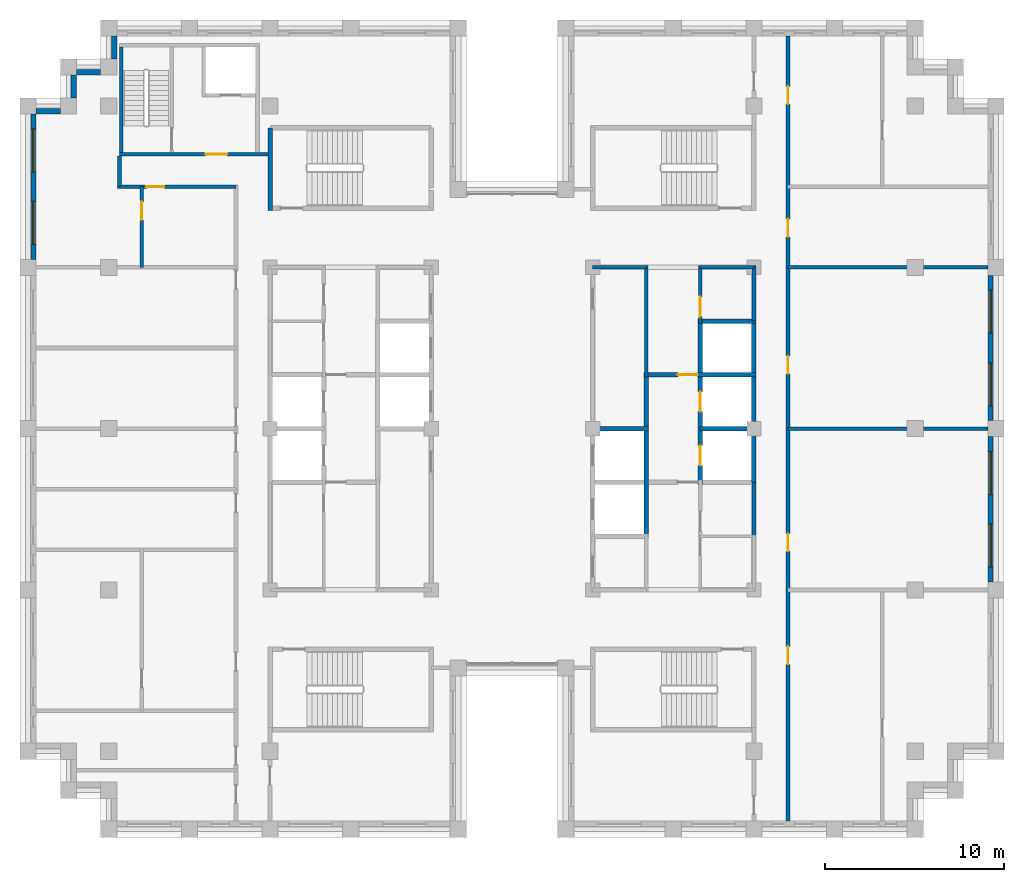
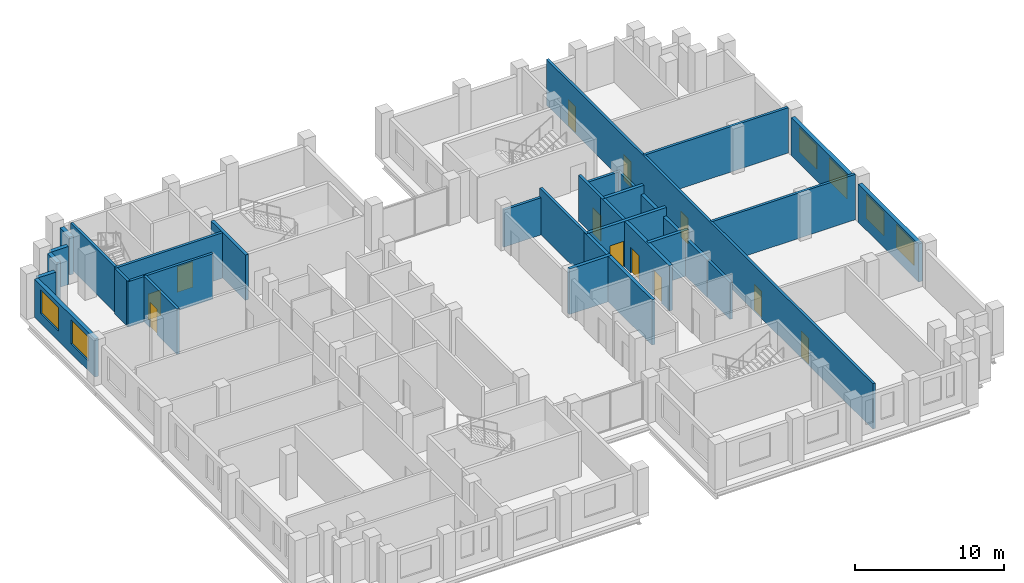
# One storey, part 9 of 13: 29 walls, 12 doors, 6 windows, 18 openings.
"""IFC4 building model written with IfcOpenShell, lengths in metres."""

from ifc_helpers import new_model, si_unit, direction, frame, frame_2d, origin, place, context, subcontext, project, spatial, rectangle, extrude, material, layer, layer_set, type_object, element, fill, save


model = new_model("IFC4")

# Units and contexts
model_context = context("Model", 3, precision=1e-05, world=origin(), true_north=direction((0.0, 1.0)))
body_context = subcontext(model_context, "Body", "Model", "MODEL_VIEW")
ifc_project = project(units=[si_unit("LENGTHUNIT", "METRE"), si_unit("AREAUNIT", "SQUARE_METRE"), si_unit("VOLUMEUNIT", "CUBIC_METRE"), si_unit("PLANEANGLEUNIT", "RADIAN"), si_unit("MASSUNIT", "GRAM", prefix="KILO")], contexts=[model_context])

# Site, building, storey
site_placement = place(None, origin())
site = spatial("IfcSite", under=ifc_project, at=site_placement, CompositionType="ELEMENT")
building_placement = place(site_placement, origin())
building = spatial("IfcBuilding", under=site, at=building_placement, Name="Corbelhall Arena Tower", CompositionType="ELEMENT")
storey_placement = place(building_placement, frame((0.0, 0.0, 282.0)))
storey = spatial("IfcBuildingStorey", under=building, at=storey_placement, Name="L61", CompositionType="ELEMENT", Elevation=282.0)

# Walls
ifc_material_1 = material(Name="Precast concrete C40/50 with granite facing", Category="masonry")
ifc_layer_1 = layer(ifc_material_1, 0.300048828125)
ifc_layer_set_1 = layer_set([ifc_layer_1], Name="EV-IW1 Infill panel 300")
wall_type_1 = type_object("IfcWallType", Name="EV-IW1 Infill panel 300", PredefinedType="SOLIDWALL", material=ifc_layer_set_1)
wall_1_placement = place(storey_placement, frame((-24.449951171875, 19.72509765625, 0.0), z_axis=(0.0, 0.0, 1.0), x_axis=(0.0, -1.0, 0.0)))
element("IfcWall", 1, at=wall_1_placement, inside=storey, type_object=wall_type_1, Name="Infill panel IW1", PredefinedType="SOLIDWALL", context=body_context, shape_type="SweptSolid", body=[
    extrude(rectangle(XDim=1.275146484375, YDim=0.300048828125, at=frame_2d((0.6376953125, 0.0))), origin(), (0.0, 0.0, 1.0), 3.1201171875),
])
wall_2_placement = place(storey_placement, frame((-25.199951171875, 17.699951171875, 0.0), z_axis=(0.0, 0.0, 1.0), x_axis=(-1.0, 0.0, 0.0)))
element("IfcWall", 2, at=wall_2_placement, inside=storey, type_object=wall_type_1, Name="Infill panel IW1", PredefinedType="SOLIDWALL", context=body_context, shape_type="SweptSolid", body=[
    extrude(rectangle(XDim=1.35009765625, YDim=0.300048828125, at=frame_2d((0.675048828125, 0.0))), origin(), (0.0, 0.0, 1.0), 3.1201171875),
])

# Wall, openings, windows
wall_3_placement = place(storey_placement, frame((-26.699951171875, 17.550048828125, 0.0), z_axis=(0.0, 0.0, 1.0), x_axis=(0.0, -1.0, 0.0)))
wall_3 = element("IfcWall", 3, at=wall_3_placement, inside=storey, type_object=wall_type_1, Name="Infill panel IW1", PredefinedType="SOLIDWALL", context=body_context, shape_type="SweptSolid", body=[
    extrude(rectangle(XDim=8.10009765625, YDim=0.300048828125, at=frame_2d((4.050048828125, 0.0))), origin(), (0.0, 0.0, 1.0), 3.1201171875),
])
opening_1_placement = place(wall_3_placement, frame((0.824951171875, 0.0, 0.800048828125)))
opening_1 = element("IfcOpeningElement", 4, at=opening_1_placement, cuts=wall_3, Name="Opening WN1", PredefinedType="OPENING", context=body_context, shape_type="SweptSolid", body=[
    extrude(rectangle(XDim=2.39990234375, YDim=1.949951171875, at=frame_2d((1.199951171875, 0.97509765625))), frame((0.0, 0.14990234375, 0.0), z_axis=(0.0, -1.0, 0.0), x_axis=(1.0, 0.0, 0.0)), (0.0, 0.0, 1.0), 0.300048828125),
])
opening_2_placement = place(wall_3_placement, frame((4.875, 0.0, 0.800048828125)))
opening_2 = element("IfcOpeningElement", 5, at=opening_2_placement, cuts=wall_3, Name="Opening WN1", PredefinedType="OPENING", context=body_context, shape_type="SweptSolid", body=[
    extrude(rectangle(XDim=2.39990234375, YDim=1.949951171875, at=frame_2d((1.199951171875, 0.97509765625))), frame((0.0, 0.14990234375, 0.0), z_axis=(0.0, -1.0, 0.0), x_axis=(1.0, 0.0, 0.0)), (0.0, 0.0, 1.0), 0.300048828125),
])
ifc_material_2 = material(Name="Aluminium black anodised", Category="aluminium")
window_type = type_object("IfcWindowType", Name="EV-WN1 Office window", PartitioningType="SINGLE_PANEL", PredefinedType="WINDOW", material=ifc_material_2)
window_1_placement = place(opening_1_placement, origin())
window_1 = element("IfcWindow", 6, at=window_1_placement, inside=storey, type_object=window_type, Name="Window WN1", OverallHeight=1.949951171875, OverallWidth=2.39990234375, PartitioningType="SINGLE_PANEL", PredefinedType="WINDOW", context=body_context, shape_type="SweptSolid", body=[
    extrude(rectangle(XDim=2.39990234375, YDim=1.949951171875, at=frame_2d((1.199951171875, 0.97509765625))), frame((0.0, 0.030029296875, 0.0), z_axis=(0.0, -1.0, 0.0), x_axis=(1.0, 0.0, 0.0)), (0.0, 0.0, 1.0), 0.06005859375),
])
fill(opening_1, window_1)
window_2_placement = place(opening_2_placement, origin())
window_2 = element("IfcWindow", 7, at=window_2_placement, inside=storey, type_object=window_type, Name="Window WN1", OverallHeight=1.949951171875, OverallWidth=2.39990234375, PartitioningType="SINGLE_PANEL", PredefinedType="WINDOW", context=body_context, shape_type="SweptSolid", body=[
    extrude(rectangle(XDim=2.39990234375, YDim=1.949951171875, at=frame_2d((1.199951171875, 0.97509765625))), frame((0.0, 0.030029296875, 0.0), z_axis=(0.0, -1.0, 0.0), x_axis=(1.0, 0.0, 0.0)), (0.0, 0.0, 1.0), 0.06005859375),
])
fill(opening_2, window_2)

wall_4_placement = place(storey_placement, frame((26.699951171875, -8.550048828125, 0.0), z_axis=(0.0, 0.0, 1.0), x_axis=(0.0, 1.0, 0.0)))
wall_4 = element("IfcWall", 8, at=wall_4_placement, inside=storey, type_object=wall_type_1, Name="Infill panel IW1", PredefinedType="SOLIDWALL", context=body_context, shape_type="SweptSolid", body=[
    extrude(rectangle(XDim=8.10009765625, YDim=0.300048828125, at=frame_2d((4.050048828125, 0.0))), origin(), (0.0, 0.0, 1.0), 3.1201171875),
])
opening_3_placement = place(wall_4_placement, frame((0.824951171875, 0.0, 0.800048828125)))
opening_3 = element("IfcOpeningElement", 9, at=opening_3_placement, cuts=wall_4, Name="Opening WN1", PredefinedType="OPENING", context=body_context, shape_type="SweptSolid", body=[
    extrude(rectangle(XDim=2.39990234375, YDim=1.949951171875, at=frame_2d((1.199951171875, 0.97509765625))), frame((0.0, 0.14990234375, 0.0), z_axis=(0.0, -1.0, 0.0), x_axis=(1.0, 0.0, 0.0)), (0.0, 0.0, 1.0), 0.300048828125),
])
opening_4_placement = place(wall_4_placement, frame((4.875, 0.0, 0.800048828125)))
opening_4 = element("IfcOpeningElement", 10, at=opening_4_placement, cuts=wall_4, Name="Opening WN1", PredefinedType="OPENING", context=body_context, shape_type="SweptSolid", body=[
    extrude(rectangle(XDim=2.39990234375, YDim=1.949951171875, at=frame_2d((1.199951171875, 0.97509765625))), frame((0.0, 0.14990234375, 0.0), z_axis=(0.0, -1.0, 0.0), x_axis=(1.0, 0.0, 0.0)), (0.0, 0.0, 1.0), 0.300048828125),
])
window_3_placement = place(opening_3_placement, origin())
window_3 = element("IfcWindow", 11, at=window_3_placement, inside=storey, type_object=window_type, Name="Window WN1", OverallHeight=1.949951171875, OverallWidth=2.39990234375, PartitioningType="SINGLE_PANEL", PredefinedType="WINDOW", context=body_context, shape_type="SweptSolid", body=[
    extrude(rectangle(XDim=2.39990234375, YDim=1.949951171875, at=frame_2d((1.199951171875, 0.97509765625))), frame((0.0, 0.030029296875, 0.0), z_axis=(0.0, -1.0, 0.0), x_axis=(1.0, 0.0, 0.0)), (0.0, 0.0, 1.0), 0.06005859375),
])
fill(opening_3, window_3)
window_4_placement = place(opening_4_placement, origin())
window_4 = element("IfcWindow", 12, at=window_4_placement, inside=storey, type_object=window_type, Name="Window WN1", OverallHeight=1.949951171875, OverallWidth=2.39990234375, PartitioningType="SINGLE_PANEL", PredefinedType="WINDOW", context=body_context, shape_type="SweptSolid", body=[
    extrude(rectangle(XDim=2.39990234375, YDim=1.949951171875, at=frame_2d((1.199951171875, 0.97509765625))), frame((0.0, 0.030029296875, 0.0), z_axis=(0.0, -1.0, 0.0), x_axis=(1.0, 0.0, 0.0)), (0.0, 0.0, 1.0), 0.06005859375),
])
fill(opening_4, window_4)

wall_5_placement = place(storey_placement, frame((26.699951171875, 0.449951171875, 0.0), z_axis=(0.0, 0.0, 1.0), x_axis=(0.0, 1.0, 0.0)))
wall_5 = element("IfcWall", 13, at=wall_5_placement, inside=storey, type_object=wall_type_1, Name="Infill panel IW1", PredefinedType="SOLIDWALL", context=body_context, shape_type="SweptSolid", body=[
    extrude(rectangle(XDim=8.10009765625, YDim=0.300048828125, at=frame_2d((4.050048828125, 0.0))), origin(), (0.0, 0.0, 1.0), 3.1201171875),
])
opening_5_placement = place(wall_5_placement, frame((0.824951171875, 0.0, 0.800048828125)))
opening_5 = element("IfcOpeningElement", 14, at=opening_5_placement, cuts=wall_5, Name="Opening WN1", PredefinedType="OPENING", context=body_context, shape_type="SweptSolid", body=[
    extrude(rectangle(XDim=2.39990234375, YDim=1.949951171875, at=frame_2d((1.199951171875, 0.97509765625))), frame((0.0, 0.14990234375, 0.0), z_axis=(0.0, -1.0, 0.0), x_axis=(1.0, 0.0, 0.0)), (0.0, 0.0, 1.0), 0.300048828125),
])
opening_6_placement = place(wall_5_placement, frame((4.875, 0.0, 0.800048828125)))
opening_6 = element("IfcOpeningElement", 15, at=opening_6_placement, cuts=wall_5, Name="Opening WN1", PredefinedType="OPENING", context=body_context, shape_type="SweptSolid", body=[
    extrude(rectangle(XDim=2.39990234375, YDim=1.949951171875, at=frame_2d((1.199951171875, 0.97509765625))), frame((0.0, 0.14990234375, 0.0), z_axis=(0.0, -1.0, 0.0), x_axis=(1.0, 0.0, 0.0)), (0.0, 0.0, 1.0), 0.300048828125),
])
window_5_placement = place(opening_5_placement, origin())
window_5 = element("IfcWindow", 16, at=window_5_placement, inside=storey, type_object=window_type, Name="Window WN1", OverallHeight=1.949951171875, OverallWidth=2.39990234375, PartitioningType="SINGLE_PANEL", PredefinedType="WINDOW", context=body_context, shape_type="SweptSolid", body=[
    extrude(rectangle(XDim=2.39990234375, YDim=1.949951171875, at=frame_2d((1.199951171875, 0.97509765625))), frame((0.0, 0.030029296875, 0.0), z_axis=(0.0, -1.0, 0.0), x_axis=(1.0, 0.0, 0.0)), (0.0, 0.0, 1.0), 0.06005859375),
])
fill(opening_5, window_5)
window_6_placement = place(opening_6_placement, origin())
window_6 = element("IfcWindow", 17, at=window_6_placement, inside=storey, type_object=window_type, Name="Window WN1", OverallHeight=1.949951171875, OverallWidth=2.39990234375, PartitioningType="SINGLE_PANEL", PredefinedType="WINDOW", context=body_context, shape_type="SweptSolid", body=[
    extrude(rectangle(XDim=2.39990234375, YDim=1.949951171875, at=frame_2d((1.199951171875, 0.97509765625))), frame((0.0, 0.030029296875, 0.0), z_axis=(0.0, -1.0, 0.0), x_axis=(1.0, 0.0, 0.0)), (0.0, 0.0, 1.0), 0.06005859375),
])
fill(opening_6, window_6)

# Walls
wall_6_placement = place(storey_placement, frame((-22.199951171875, 21.89990234375, 0.0), z_axis=(0.0, 0.0, 1.0), x_axis=(0.0, -1.0, 0.0)))
element("IfcWall", 18, at=wall_6_placement, inside=storey, type_object=wall_type_1, Name="Infill panel IW1", PredefinedType="SOLIDWALL", context=body_context, shape_type="SweptSolid", body=[
    extrude(rectangle(XDim=1.27490234375, YDim=0.300048828125, at=frame_2d((0.637451171875, 0.0))), origin(), (0.0, 0.0, 1.0), 3.1201171875),
])
wall_7_placement = place(storey_placement, frame((-22.949951171875, 19.875, 0.0), z_axis=(0.0, 0.0, 1.0), x_axis=(-1.0, 0.0, 0.0)))
element("IfcWall", 19, at=wall_7_placement, inside=storey, type_object=wall_type_1, Name="Infill panel IW1", PredefinedType="SOLIDWALL", context=body_context, shape_type="SweptSolid", body=[
    extrude(rectangle(XDim=1.35009765625, YDim=0.300048828125, at=frame_2d((0.675048828125, 0.0))), origin(), (0.0, 0.0, 1.0), 3.1201171875),
])
ifc_material_3 = material(Name="Gypsum board on steel stud, acoustic", Category="steel")
ifc_layer_2 = layer(ifc_material_3, 0.199951171875)
ifc_layer_set_2 = layer_set([ifc_layer_2], Name="IN-W-DM200")
wall_type_2 = type_object("IfcWallType", Name="IN-W-DM200", PredefinedType="PARTITIONING", material=ifc_layer_set_2)
wall_8_placement = place(storey_placement, frame((-21.89990234375, 13.5, 0.0), z_axis=(0.0, 0.0, 1.0), x_axis=(0.0, 1.0, 0.0)))
element("IfcWall", 20, at=wall_8_placement, inside=storey, type_object=wall_type_2, Name="Partition 007", PredefinedType="PARTITIONING", context=body_context, shape_type="SweptSolid", body=[
    extrude(rectangle(XDim=1.699951171875, YDim=0.199951171875, at=frame_2d((0.85009765625, 0.0))), origin(), (0.0, 0.0, 1.0), 3.719970703125),
])

# Wall, opening, door
wall_9_placement = place(storey_placement, frame((-20.64990234375, 9.0, 0.0), z_axis=(0.0, 0.0, 1.0), x_axis=(0.0, 1.0, 0.0)))
wall_9 = element("IfcWall", 21, at=wall_9_placement, inside=storey, type_object=wall_type_2, Name="Partition 009", PredefinedType="PARTITIONING", context=body_context, shape_type="SweptSolid", body=[
    extrude(rectangle(XDim=4.5, YDim=0.199951171875, at=frame_2d((2.25, 0.0))), origin(), (0.0, 0.0, 1.0), 3.719970703125),
])
opening_7_placement = place(wall_9_placement, frame((2.64990234375, 0.0, 0.0)))
opening_7 = element("IfcOpeningElement", 22, at=opening_7_placement, cuts=wall_9, Name="Opening 19025", PredefinedType="OPENING", context=body_context, shape_type="SweptSolid", body=[
    extrude(rectangle(XDim=1.0, YDim=2.10009765625, at=frame_2d((0.5, 1.050048828125))), frame((0.0, 0.10009765625, 0.0), z_axis=(0.0, -1.0, 0.0), x_axis=(1.0, 0.0, 0.0)), (0.0, 0.0, 1.0), 0.199951171875),
])
ifc_material_4 = material(Name="Steel door set", Category="steel")
door_type_1 = type_object("IfcDoorType", Name="IN-D-SW100", OperationType="NOTDEFINED", PredefinedType="DOOR", material=ifc_material_4)
door_1_placement = place(opening_7_placement, origin())
door_1 = element("IfcDoor", 23, at=door_1_placement, inside=storey, type_object=door_type_1, Name="Door 025", OperationType="SINGLE_SWING_RIGHT", OverallHeight=2.10009765625, OverallWidth=1.0, PredefinedType="DOOR", context=body_context, shape_type="SweptSolid", body=[
    extrude(rectangle(XDim=1.0, YDim=2.10009765625, at=frame_2d((0.5, 1.050048828125))), frame((0.0, 0.02490234375, 0.0), z_axis=(0.0, -1.0, 0.0), x_axis=(1.0, 0.0, 0.0)), (0.0, 0.0, 1.0), 0.050048828125),
])
fill(opening_7, door_1)

wall_10_placement = place(storey_placement, frame((-15.39990234375, 13.5, 0.0), z_axis=(0.0, 0.0, 1.0), x_axis=(-1.0, 0.0, 0.0)))
wall_10 = element("IfcWall", 24, at=wall_10_placement, inside=storey, type_object=wall_type_2, Name="Partition 010", PredefinedType="PARTITIONING", context=body_context, shape_type="SweptSolid", body=[
    extrude(rectangle(XDim=6.60009765625, YDim=0.199951171875, at=frame_2d((3.300048828125, 0.0))), origin(), (0.0, 0.0, 1.0), 3.719970703125),
])
opening_8_placement = place(wall_10_placement, frame((4.0, 0.0, 0.0)))
opening_8 = element("IfcOpeningElement", 25, at=opening_8_placement, cuts=wall_10, Name="Opening 19024", PredefinedType="OPENING", context=body_context, shape_type="SweptSolid", body=[
    extrude(rectangle(XDim=1.0, YDim=2.10009765625, at=frame_2d((0.5, 1.050048828125))), frame((0.0, 0.10009765625, 0.0), z_axis=(0.0, -1.0, 0.0), x_axis=(1.0, 0.0, 0.0)), (0.0, 0.0, 1.0), 0.199951171875),
])
door_2_placement = place(opening_8_placement, origin())
door_2 = element("IfcDoor", 26, at=door_2_placement, inside=storey, type_object=door_type_1, Name="Door 024", OperationType="SINGLE_SWING_LEFT", OverallHeight=2.10009765625, OverallWidth=1.0, PredefinedType="DOOR", context=body_context, shape_type="SweptSolid", body=[
    extrude(rectangle(XDim=1.0, YDim=2.10009765625, at=frame_2d((0.5, 1.050048828125))), frame((0.0, 0.02490234375, 0.0), z_axis=(0.0, -1.0, 0.0), x_axis=(1.0, 0.0, 0.0)), (0.0, 0.0, 1.0), 0.050048828125),
])
fill(opening_8, door_2)

# Wall, openings, doors
wall_11_placement = place(storey_placement, frame((15.39990234375, 21.89990234375, 0.0), z_axis=(0.0, 0.0, 1.0), x_axis=(0.0, -1.0, 0.0)))
wall_11 = element("IfcWall", 27, at=wall_11_placement, inside=storey, type_object=wall_type_2, Name="Partition 020", PredefinedType="PARTITIONING", context=body_context, shape_type="SweptSolid", body=[
    extrude(rectangle(XDim=43.7998046875, YDim=0.199951171875, at=frame_2d((21.89990234375, 0.0))), origin(), (0.0, 0.0, 1.0), 3.719970703125),
])
opening_9_placement = place(wall_11_placement, frame((17.85009765625, 0.0, 0.0)))
opening_9 = element("IfcOpeningElement", 28, at=opening_9_placement, cuts=wall_11, Name="Opening 19032", PredefinedType="OPENING", context=body_context, shape_type="SweptSolid", body=[
    extrude(rectangle(XDim=1.0, YDim=2.10009765625, at=frame_2d((0.5, 1.050048828125))), frame((0.0, 0.10009765625, 0.0), z_axis=(0.0, -1.0, 0.0), x_axis=(1.0, 0.0, 0.0)), (0.0, 0.0, 1.0), 0.199951171875),
])
opening_10_placement = place(wall_11_placement, frame((10.199951171875, 0.0, 0.0)))
opening_10 = element("IfcOpeningElement", 29, at=opening_10_placement, cuts=wall_11, Name="Opening 19033", PredefinedType="OPENING", context=body_context, shape_type="SweptSolid", body=[
    extrude(rectangle(XDim=1.0, YDim=2.10009765625, at=frame_2d((0.5, 1.050048828125))), frame((0.0, 0.10009765625, 0.0), z_axis=(0.0, -1.0, 0.0), x_axis=(1.0, 0.0, 0.0)), (0.0, 0.0, 1.0), 0.199951171875),
])
opening_11_placement = place(wall_11_placement, frame((2.800048828125, 0.0, 0.0)))
opening_11 = element("IfcOpeningElement", 30, at=opening_11_placement, cuts=wall_11, Name="Opening 19034", PredefinedType="OPENING", context=body_context, shape_type="SweptSolid", body=[
    extrude(rectangle(XDim=1.0, YDim=2.10009765625, at=frame_2d((0.5, 1.050048828125))), frame((0.0, 0.10009765625, 0.0), z_axis=(0.0, -1.0, 0.0), x_axis=(1.0, 0.0, 0.0)), (0.0, 0.0, 1.0), 0.199951171875),
])
opening_12_placement = place(wall_11_placement, frame((34.050048828125, 0.0, 0.0)))
opening_12 = element("IfcOpeningElement", 31, at=opening_12_placement, cuts=wall_11, Name="Opening 19036", PredefinedType="OPENING", context=body_context, shape_type="SweptSolid", body=[
    extrude(rectangle(XDim=1.0, YDim=2.10009765625, at=frame_2d((0.5, 1.050048828125))), frame((0.0, 0.10009765625, 0.0), z_axis=(0.0, -1.0, 0.0), x_axis=(1.0, 0.0, 0.0)), (0.0, 0.0, 1.0), 0.199951171875),
])
opening_13_placement = place(wall_11_placement, frame((27.75, 0.0, 0.0)))
opening_13 = element("IfcOpeningElement", 32, at=opening_13_placement, cuts=wall_11, Name="Opening 19038", PredefinedType="OPENING", context=body_context, shape_type="SweptSolid", body=[
    extrude(rectangle(XDim=1.0, YDim=2.10009765625, at=frame_2d((0.5, 1.050048828125))), frame((0.0, 0.10009765625, 0.0), z_axis=(0.0, -1.0, 0.0), x_axis=(1.0, 0.0, 0.0)), (0.0, 0.0, 1.0), 0.199951171875),
])
door_3_placement = place(opening_9_placement, origin())
door_3 = element("IfcDoor", 33, at=door_3_placement, inside=storey, type_object=door_type_1, Name="Door 032", OperationType="SINGLE_SWING_LEFT", OverallHeight=2.10009765625, OverallWidth=1.0, PredefinedType="DOOR", context=body_context, shape_type="SweptSolid", body=[
    extrude(rectangle(XDim=1.0, YDim=2.10009765625, at=frame_2d((0.5, 1.050048828125))), frame((0.0, 0.02490234375, 0.0), z_axis=(0.0, -1.0, 0.0), x_axis=(1.0, 0.0, 0.0)), (0.0, 0.0, 1.0), 0.050048828125),
])
fill(opening_9, door_3)
door_4_placement = place(opening_10_placement, origin())
door_4 = element("IfcDoor", 34, at=door_4_placement, inside=storey, type_object=door_type_1, Name="Door 033", OperationType="SINGLE_SWING_RIGHT", OverallHeight=2.10009765625, OverallWidth=1.0, PredefinedType="DOOR", context=body_context, shape_type="SweptSolid", body=[
    extrude(rectangle(XDim=1.0, YDim=2.10009765625, at=frame_2d((0.5, 1.050048828125))), frame((0.0, 0.02490234375, 0.0), z_axis=(0.0, -1.0, 0.0), x_axis=(1.0, 0.0, 0.0)), (0.0, 0.0, 1.0), 0.050048828125),
])
fill(opening_10, door_4)
door_5_placement = place(opening_11_placement, origin())
door_5 = element("IfcDoor", 35, at=door_5_placement, inside=storey, type_object=door_type_1, Name="Door 034", OperationType="SINGLE_SWING_LEFT", OverallHeight=2.10009765625, OverallWidth=1.0, PredefinedType="DOOR", context=body_context, shape_type="SweptSolid", body=[
    extrude(rectangle(XDim=1.0, YDim=2.10009765625, at=frame_2d((0.5, 1.050048828125))), frame((0.0, 0.02490234375, 0.0), z_axis=(0.0, -1.0, 0.0), x_axis=(1.0, 0.0, 0.0)), (0.0, 0.0, 1.0), 0.050048828125),
])
fill(opening_11, door_5)
door_6_placement = place(opening_12_placement, origin())
door_6 = element("IfcDoor", 36, at=door_6_placement, inside=storey, type_object=door_type_1, Name="Door 036", OperationType="SINGLE_SWING_LEFT", OverallHeight=2.10009765625, OverallWidth=1.0, PredefinedType="DOOR", context=body_context, shape_type="SweptSolid", body=[
    extrude(rectangle(XDim=1.0, YDim=2.10009765625, at=frame_2d((0.5, 1.050048828125))), frame((0.0, 0.02490234375, 0.0), z_axis=(0.0, -1.0, 0.0), x_axis=(1.0, 0.0, 0.0)), (0.0, 0.0, 1.0), 0.050048828125),
])
fill(opening_12, door_6)
door_7_placement = place(opening_13_placement, origin())
door_7 = element("IfcDoor", 37, at=door_7_placement, inside=storey, type_object=door_type_1, Name="Door 038", OperationType="SINGLE_SWING_LEFT", OverallHeight=2.10009765625, OverallWidth=1.0, PredefinedType="DOOR", context=body_context, shape_type="SweptSolid", body=[
    extrude(rectangle(XDim=1.0, YDim=2.10009765625, at=frame_2d((0.5, 1.050048828125))), frame((0.0, 0.02490234375, 0.0), z_axis=(0.0, -1.0, 0.0), x_axis=(1.0, 0.0, 0.0)), (0.0, 0.0, 1.0), 0.050048828125),
])
fill(opening_13, door_7)

# Walls
for number, where, z_axis, x_axis, name in (
    (38, (15.39990234375, 9.0, 0.0), (0.0, 0.0, 1.0), (1.0, 0.0, 0.0), "Partition 021"),
    (39, (26.550048828125, 0.0, 0.0), (0.0, 0.0, 1.0), (-1.0, 0.0, 0.0), "Partition 025"),
):
    element("IfcWall", number, at=place(storey_placement, frame(where, z_axis=z_axis, x_axis=x_axis)), inside=storey, type_object=wall_type_2, Name=name, PredefinedType="PARTITIONING", context=body_context, shape_type="SweptSolid", body=[
        extrude(rectangle(XDim=11.150146484375, YDim=0.199951171875, at=frame_2d((5.5751953125, 0.0))), origin(), (0.0, 0.0, 1.0), 3.719970703125),
    ])

# Wall, opening, door
ifc_material_5 = material(Name="Concrete C40/50", Category="concrete")
ifc_layer_3 = layer(ifc_material_5, 0.199951171875)
ifc_layer_set_3 = layer_set([ifc_layer_3], Name="IN-W-EAR200")
wall_type_3 = type_object("IfcWallType", Name="IN-W-EAR200", PredefinedType="SOLIDWALL", material=ifc_layer_set_3)
wall_12_placement = place(storey_placement, frame((-21.89990234375, 15.300048828125, 0.0), z_axis=(0.0, 0.0, 1.0), x_axis=(1.0, 0.0, 0.0)))
wall_12 = element("IfcWall", 40, at=wall_12_placement, inside=storey, type_object=wall_type_3, Name="Fire service turret wall south", PredefinedType="SOLIDWALL", context=body_context, shape_type="SweptSolid", body=[
    extrude(rectangle(XDim=8.27490234375, YDim=0.199951171875, at=frame_2d((4.137451171875, 0.0))), origin(), (0.0, 0.0, 1.0), 3.719970703125),
])
opening_14_placement = place(wall_12_placement, frame((4.800048828125, 0.0, 0.0)))
opening_14 = element("IfcOpeningElement", 41, at=opening_14_placement, cuts=wall_12, Name="Opening E192", PredefinedType="OPENING", context=body_context, shape_type="SweptSolid", body=[
    extrude(rectangle(XDim=1.199951171875, YDim=2.10009765625, at=frame_2d((0.60009765625, 1.050048828125))), frame((0.0, 0.10009765625, 0.0), z_axis=(0.0, -1.0, 0.0), x_axis=(1.0, 0.0, 0.0)), (0.0, 0.0, 1.0), 0.199951171875),
])
door_type_2 = type_object("IfcDoorType", Name="IN-D-ST120", OperationType="NOTDEFINED", PredefinedType="DOOR", material=ifc_material_4)
door_8_placement = place(opening_14_placement, origin())
door_8 = element("IfcDoor", 42, at=door_8_placement, inside=storey, type_object=door_type_2, Name="Door from fire service lift lobby to circulation", OperationType="SINGLE_SWING_RIGHT", OverallHeight=2.10009765625, OverallWidth=1.199951171875, PredefinedType="DOOR", context=body_context, shape_type="SweptSolid", body=[
    extrude(rectangle(XDim=1.199951171875, YDim=2.10009765625, at=frame_2d((0.60009765625, 1.050048828125))), frame((0.0, 0.02490234375, 0.0), z_axis=(0.0, -1.0, 0.0), x_axis=(1.0, 0.0, 0.0)), (0.0, 0.0, 1.0), 0.050048828125),
])
fill(opening_14, door_8)

# Walls
wall_13_placement = place(storey_placement, frame((-21.800048828125, 15.39990234375, 0.0), z_axis=(0.0, 0.0, 1.0), x_axis=(0.0, 1.0, 0.0)))
element("IfcWall", 43, at=wall_13_placement, inside=storey, type_object=wall_type_3, Name="Fire service turret wall west", PredefinedType="SOLIDWALL", context=body_context, shape_type="SweptSolid", body=[
    extrude(rectangle(XDim=5.900146484375, YDim=0.199951171875, at=frame_2d((2.9501953125, 0.0))), origin(), (0.0, 0.0, 1.0), 3.719970703125),
])
ifc_material_6 = material(Name="Concrete block wall", Category="concrete")
ifc_layer_4 = layer(ifc_material_6, 0.199951171875)
ifc_layer_set_4 = layer_set([ifc_layer_4], Name="IN-W-RS200")
wall_type_4 = type_object("IfcWallType", Name="IN-W-RS200", PredefinedType="SOLIDWALL", material=ifc_layer_set_4)
wall_14_placement = place(storey_placement, frame((7.5, 9.10009765625, 0.0), z_axis=(0.0, 0.0, 1.0), x_axis=(0.0, -1.0, 0.0)))
element("IfcWall", 44, at=wall_14_placement, inside=storey, type_object=wall_type_4, Name="Partition 040", PredefinedType="SOLIDWALL", context=body_context, shape_type="SweptSolid", body=[
    extrude(rectangle(XDim=6.22509765625, YDim=0.199951171875, at=frame_2d((3.112548828125, 0.0))), origin(), (0.0, 0.0, 1.0), 3.719970703125),
])

# Wall, opening, door
wall_15_placement = place(storey_placement, frame((10.5, 9.10009765625, 0.0), z_axis=(0.0, 0.0, 1.0), x_axis=(0.0, -1.0, 0.0)))
wall_15 = element("IfcWall", 45, at=wall_15_placement, inside=storey, type_object=wall_type_4, Name="Partition 043", PredefinedType="SOLIDWALL", context=body_context, shape_type="SweptSolid", body=[
    extrude(rectangle(XDim=3.22509765625, YDim=0.199951171875, at=frame_2d((1.612548828125, 0.0))), origin(), (0.0, 0.0, 1.0), 3.719970703125),
])
opening_15_placement = place(wall_15_placement, frame((1.75, 0.0, 0.0)))
opening_15 = element("IfcOpeningElement", 46, at=opening_15_placement, cuts=wall_15, Name="Opening 19014", PredefinedType="OPENING", context=body_context, shape_type="SweptSolid", body=[
    extrude(rectangle(XDim=1.10009765625, YDim=2.10009765625, at=frame_2d((0.550048828125, 1.050048828125))), frame((0.0, 0.10009765625, 0.0), z_axis=(0.0, -1.0, 0.0), x_axis=(1.0, 0.0, 0.0)), (0.0, 0.0, 1.0), 0.199951171875),
])
door_type_3 = type_object("IfcDoorType", Name="IN-D-FD110", OperationType="NOTDEFINED", PredefinedType="DOOR", material=ifc_material_4)
door_9_placement = place(opening_15_placement, origin())
door_9 = element("IfcDoor", 47, at=door_9_placement, inside=storey, type_object=door_type_3, Name="Door 014", OperationType="SINGLE_SWING_LEFT", OverallHeight=2.10009765625, OverallWidth=1.10009765625, PredefinedType="DOOR", context=body_context, shape_type="SweptSolid", body=[
    extrude(rectangle(XDim=1.10009765625, YDim=2.10009765625, at=frame_2d((0.550048828125, 1.050048828125))), frame((0.0, 0.02490234375, 0.0), z_axis=(0.0, -1.0, 0.0), x_axis=(1.0, 0.0, 0.0)), (0.0, 0.0, 1.0), 0.050048828125),
])
fill(opening_15, door_9)

# Walls
ifc_layer_5 = layer(ifc_material_6, 0.199951171875)
ifc_layer_set_5 = layer_set([ifc_layer_5], Name="IN-W-RS200 under beam 678 mm")
wall_type_5 = type_object("IfcWallType", Name="IN-W-RS200 under beam 678 mm", PredefinedType="SOLIDWALL", material=ifc_layer_set_5)
for number, where, z_axis, x_axis, name in (
    (48, (4.5, 9.0, 0.0), (0.0, 0.0, 1.0), (1.0, 0.0, 0.0), "Partition 037"),
    (49, (10.5, 9.0, 0.0), (0.0, 0.0, 1.0), (1.0, 0.0, 0.0), "Partition 042"),
    (50, (13.5, -3.0, 0.0), (0.0, 0.0, 1.0), (0.0, -1.0, 0.0), "Partition 044"),
):
    element("IfcWall", number, at=place(storey_placement, frame(where, z_axis=z_axis, x_axis=x_axis)), inside=storey, type_object=wall_type_5, Name=name, PredefinedType="SOLIDWALL", context=body_context, shape_type="SweptSolid", body=[
        extrude(rectangle(XDim=3.0, YDim=0.199951171875, at=frame_2d((1.5, 0.0))), origin(), (0.0, 0.0, 1.0), 3.041748046875),
    ])
wall_16_placement = place(storey_placement, frame((13.5, 9.10009765625, 0.0), z_axis=(0.0, 0.0, 1.0), x_axis=(0.0, -1.0, 0.0)))
element("IfcWall", 51, at=wall_16_placement, inside=storey, type_object=wall_type_5, Name="Partition 045", PredefinedType="SOLIDWALL", context=body_context, shape_type="SweptSolid", body=[
    extrude(rectangle(XDim=3.10009765625, YDim=0.199951171875, at=frame_2d((1.550048828125, 0.0))), origin(), (0.0, 0.0, 1.0), 3.041748046875),
])
ifc_layer_6 = layer(ifc_material_5, 0.25)
ifc_layer_set_6 = layer_set([ifc_layer_6], Name="IN-W-SH250")
wall_type_6 = type_object("IfcWallType", Name="IN-W-SH250", PredefinedType="SOLIDWALL", material=ifc_layer_set_6)
wall_17_placement = place(storey_placement, frame((4.375, 0.0, 0.0), z_axis=(0.0, 0.0, 1.0), x_axis=(1.0, 0.0, 0.0)))
element("IfcWall", 52, at=wall_17_placement, inside=storey, type_object=wall_type_6, Name="Shaft wall 057", PredefinedType="SOLIDWALL", context=body_context, shape_type="SweptSolid", body=[
    extrude(rectangle(XDim=3.25, YDim=0.25, at=frame_2d((1.625, 0.0))), origin(), (0.0, 0.0, 1.0), 3.719970703125),
])
wall_18_placement = place(storey_placement, frame((7.5, 3.125, 0.0), z_axis=(0.0, 0.0, 1.0), x_axis=(0.0, -1.0, 0.0)))
element("IfcWall", 53, at=wall_18_placement, inside=storey, type_object=wall_type_6, Name="Shaft wall 059", PredefinedType="SOLIDWALL", context=body_context, shape_type="SweptSolid", body=[
    extrude(rectangle(XDim=9.125, YDim=0.25, at=frame_2d((4.5625, 0.0))), origin(), (0.0, 0.0, 1.0), 3.719970703125),
])

# Wall, opening, door
wall_19_placement = place(storey_placement, frame((7.5, 3.0, 0.0), z_axis=(0.0, 0.0, 1.0), x_axis=(1.0, 0.0, 0.0)))
wall_19 = element("IfcWall", 54, at=wall_19_placement, inside=storey, type_object=wall_type_6, Name="Shaft wall 060", PredefinedType="SOLIDWALL", context=body_context, shape_type="SweptSolid", body=[
    extrude(rectangle(XDim=6.125, YDim=0.25, at=frame_2d((3.0625, 0.0))), origin(), (0.0, 0.0, 1.0), 3.719970703125),
])
opening_16_placement = place(wall_19_placement, frame((1.75, 0.0, 0.0)))
opening_16 = element("IfcOpeningElement", 55, at=opening_16_placement, cuts=wall_19, Name="Opening 19011", PredefinedType="OPENING", context=body_context, shape_type="SweptSolid", body=[
    extrude(rectangle(XDim=1.10009765625, YDim=2.10009765625, at=frame_2d((0.550048828125, 1.050048828125))), frame((0.0, 0.125, 0.0), z_axis=(0.0, -1.0, 0.0), x_axis=(1.0, 0.0, 0.0)), (0.0, 0.0, 1.0), 0.25),
])
door_10_placement = place(opening_16_placement, origin())
door_10 = element("IfcDoor", 56, at=door_10_placement, inside=storey, type_object=door_type_3, Name="Door 011", OperationType="SINGLE_SWING_RIGHT", OverallHeight=2.10009765625, OverallWidth=1.10009765625, PredefinedType="DOOR", context=body_context, shape_type="SweptSolid", body=[
    extrude(rectangle(XDim=1.10009765625, YDim=2.10009765625, at=frame_2d((0.550048828125, 1.050048828125))), frame((0.0, 0.02490234375, 0.0), z_axis=(0.0, -1.0, 0.0), x_axis=(1.0, 0.0, 0.0)), (0.0, 0.0, 1.0), 0.050048828125),
])
fill(opening_16, door_10)

# Wall
wall_20_placement = place(storey_placement, frame((10.5, 0.0, 0.0), z_axis=(0.0, 0.0, 1.0), x_axis=(1.0, 0.0, 0.0)))
element("IfcWall", 57, at=wall_20_placement, inside=storey, type_object=wall_type_6, Name="Shaft wall 061", PredefinedType="SOLIDWALL", context=body_context, shape_type="SweptSolid", body=[
    extrude(rectangle(XDim=3.125, YDim=0.25, at=frame_2d((1.5625, 0.0))), origin(), (0.0, 0.0, 1.0), 3.719970703125),
])

# Wall, openings, doors
wall_21_placement = place(storey_placement, frame((10.5, 6.125, 0.0), z_axis=(0.0, 0.0, 1.0), x_axis=(0.0, -1.0, 0.0)))
wall_21 = element("IfcWall", 58, at=wall_21_placement, inside=storey, type_object=wall_type_6, Name="Shaft wall 062", PredefinedType="SOLIDWALL", context=body_context, shape_type="SweptSolid", body=[
    extrude(rectangle(XDim=9.25, YDim=0.25, at=frame_2d((4.625, 0.0))), origin(), (0.0, 0.0, 1.0), 3.719970703125),
])
opening_17_placement = place(wall_21_placement, frame((7.074951171875, 0.0, 0.0)))
opening_17 = element("IfcOpeningElement", 59, at=opening_17_placement, cuts=wall_21, Name="Opening LD", PredefinedType="OPENING", context=body_context, shape_type="SweptSolid", body=[
    extrude(rectangle(XDim=1.10009765625, YDim=2.10009765625, at=frame_2d((0.550048828125, 1.050048828125))), frame((0.0, 0.125, 0.0), z_axis=(0.0, -1.0, 0.0), x_axis=(1.0, 0.0, 0.0)), (0.0, 0.0, 1.0), 0.25),
])
opening_18_placement = place(wall_21_placement, frame((4.074951171875, 0.0, 0.0)))
opening_18 = element("IfcOpeningElement", 60, at=opening_18_placement, cuts=wall_21, Name="Opening LD", PredefinedType="OPENING", context=body_context, shape_type="SweptSolid", body=[
    extrude(rectangle(XDim=1.10009765625, YDim=2.10009765625, at=frame_2d((0.550048828125, 1.050048828125))), frame((0.0, 0.125, 0.0), z_axis=(0.0, -1.0, 0.0), x_axis=(1.0, 0.0, 0.0)), (0.0, 0.0, 1.0), 0.25),
])
door_type_4 = type_object("IfcDoorType", Name="IN-D-LD110", OperationType="NOTDEFINED", PredefinedType="DOOR", material=ifc_material_4)
door_11_placement = place(opening_17_placement, origin())
door_11 = element("IfcDoor", 61, at=door_11_placement, inside=storey, type_object=door_type_4, Name="Landing door E3", OperationType="SLIDING_TO_LEFT", OverallHeight=2.10009765625, OverallWidth=1.10009765625, PredefinedType="DOOR", context=body_context, shape_type="SweptSolid", body=[
    extrude(rectangle(XDim=1.10009765625, YDim=2.10009765625, at=frame_2d((0.550048828125, 1.050048828125))), frame((0.0, 0.02490234375, 0.0), z_axis=(0.0, -1.0, 0.0), x_axis=(1.0, 0.0, 0.0)), (0.0, 0.0, 1.0), 0.050048828125),
])
fill(opening_17, door_11)
door_12_placement = place(opening_18_placement, origin())
door_12 = element("IfcDoor", 62, at=door_12_placement, inside=storey, type_object=door_type_4, Name="Landing door E4", OperationType="SLIDING_TO_LEFT", OverallHeight=2.10009765625, OverallWidth=1.10009765625, PredefinedType="DOOR", context=body_context, shape_type="SweptSolid", body=[
    extrude(rectangle(XDim=1.10009765625, YDim=2.10009765625, at=frame_2d((0.550048828125, 1.050048828125))), frame((0.0, 0.02490234375, 0.0), z_axis=(0.0, -1.0, 0.0), x_axis=(1.0, 0.0, 0.0)), (0.0, 0.0, 1.0), 0.050048828125),
])
fill(opening_18, door_12)

# Walls
wall_22_placement = place(storey_placement, frame((10.5, 6.0, 0.0), z_axis=(0.0, 0.0, 1.0), x_axis=(1.0, 0.0, 0.0)))
element("IfcWall", 63, at=wall_22_placement, inside=storey, type_object=wall_type_6, Name="Shaft wall 063", PredefinedType="SOLIDWALL", context=body_context, shape_type="SweptSolid", body=[
    extrude(rectangle(XDim=3.125, YDim=0.25, at=frame_2d((1.5625, 0.0))), origin(), (0.0, 0.0, 1.0), 3.719970703125),
])
ifc_layer_7 = layer(ifc_material_5, 0.25)
ifc_layer_set_7 = layer_set([ifc_layer_7], Name="IN-W-SH250 under beam 678 mm")
wall_type_7 = type_object("IfcWallType", Name="IN-W-SH250 under beam 678 mm", PredefinedType="SOLIDWALL", material=ifc_layer_set_7)
wall_23_placement = place(storey_placement, frame((13.5, 6.0, 0.0), z_axis=(0.0, 0.0, 1.0), x_axis=(0.0, -1.0, 0.0)))
element("IfcWall", 64, at=wall_23_placement, inside=storey, type_object=wall_type_7, Name="Shaft wall 064", PredefinedType="SOLIDWALL", context=body_context, shape_type="SweptSolid", body=[
    extrude(rectangle(XDim=9.0, YDim=0.25, at=frame_2d((4.5, 0.0))), origin(), (0.0, 0.0, 1.0), 3.041748046875),
])
ifc_layer_8 = layer(ifc_material_5, 0.25)
ifc_layer_set_8 = layer_set([ifc_layer_8], Name="IN-W-ST250")
wall_type_8 = type_object("IfcWallType", Name="IN-W-ST250", PredefinedType="SOLIDWALL", material=ifc_layer_set_8)
wall_24_placement = place(storey_placement, frame((-13.5, 16.780029296875, 0.0), z_axis=(0.0, 0.0, 1.0), x_axis=(0.0, -1.0, 0.0)))
element("IfcWall", 65, at=wall_24_placement, inside=storey, type_object=wall_type_8, Name="Shaft wall 067", PredefinedType="SOLIDWALL", context=body_context, shape_type="SweptSolid", body=[
    extrude(rectangle(XDim=4.60498046875, YDim=0.25, at=frame_2d((2.302490234375, 0.0))), origin(), (0.0, 0.0, 1.0), 3.719970703125),
])

save(model, "model.ifc")
